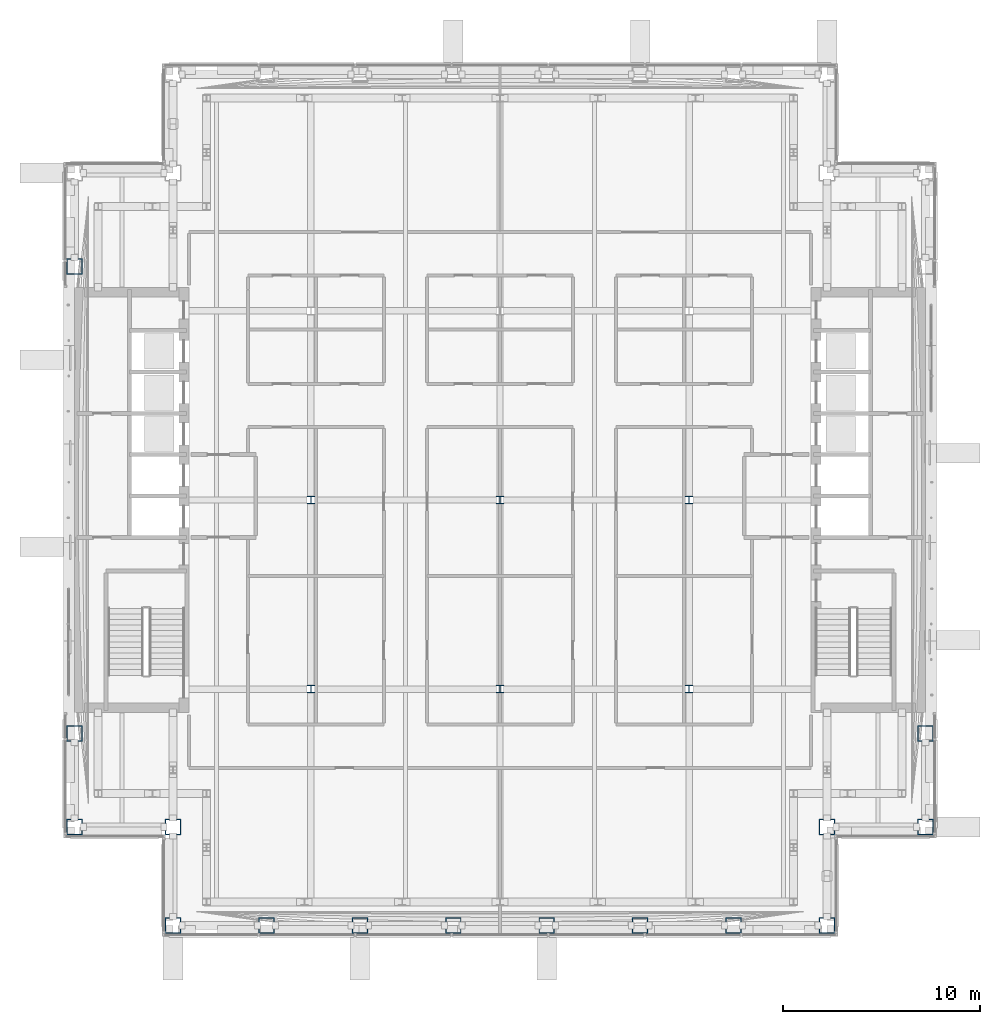
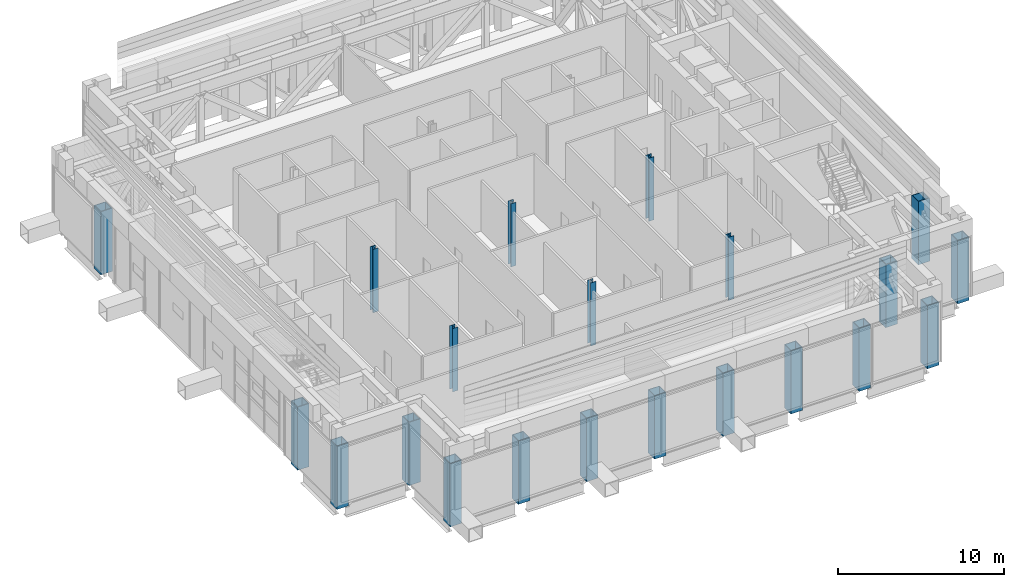
# One storey, part 1 of 29: 21 columns.
"""IFC4 building model written with IfcOpenShell, lengths in metres."""

from ifc_helpers import new_model, si_unit, direction, frame, origin, origin_2d, place, context, subcontext, project, spatial, hollow_rectangle, i_section, extrude, material, material_profile, profile_set, type_object, element, save


model = new_model("IFC4")

# Units and contexts
model_context = context("Model", 3, precision=1e-05, world=origin(), true_north=direction((0.0, 1.0)))
body_context = subcontext(model_context, "Body", "Model", "MODEL_VIEW")
ifc_project = project(units=[si_unit("LENGTHUNIT", "METRE"), si_unit("AREAUNIT", "SQUARE_METRE"), si_unit("VOLUMEUNIT", "CUBIC_METRE"), si_unit("PLANEANGLEUNIT", "RADIAN"), si_unit("MASSUNIT", "GRAM", prefix="KILO")], contexts=[model_context])

# Site, building, storey
site_placement = place(None, origin())
site = spatial("IfcSite", under=ifc_project, at=site_placement, CompositionType="ELEMENT")
building_placement = place(site_placement, origin())
building = spatial("IfcBuilding", under=site, at=building_placement, Name="Cobrizo Arcos Hotel Tower", CompositionType="ELEMENT")
storey_placement = place(building_placement, frame((0.0, 0.0, 186.5)))
storey = spatial("IfcBuildingStorey", under=building, at=storey_placement, Name="L48", CompositionType="ELEMENT", Elevation=186.5)

# Columns
ifc_material_1 = material(Name="Steel ASTM A572 Grade 50", Category="steel")
ifc_material_profile_1 = material_profile(ifc_material_1, hollow_rectangle(XDim=0.800048828125, YDim=0.800048828125, WallThickness=0.044921875, at=origin_2d()), Name="BOX 800X800X45")
ifc_profile_set_1 = profile_set([ifc_material_profile_1], Name="Steel ASTM A572 Grade 50")
column_type_1 = type_object("IfcColumnType", Name="BOX 800X800X45 column", PredefinedType="COLUMN", material=ifc_profile_set_1)
for number, where, z_axis, x_axis, name in (
    (1, (-16.60009765625, -21.60009765625, -0.300048828125), (0.0, 0.0, 1.0), (1.0, 0.0, 0.0), "Perimeter column C8, L48, no. 01"),
    (2, (-11.85693359375, -21.60009765625, -0.300048828125), (0.0, 0.0, 1.0), (1.0, 0.0, 0.0), "Perimeter column C8, L48, no. 03"),
    (3, (-7.114013671875, -21.60009765625, -0.300048828125), (0.0, 0.0, 1.0), (1.0, 0.0, 0.0), "Perimeter column C8, L48, no. 05"),
    (4, (-2.37109375, -21.60009765625, -0.300048828125), (0.0, 0.0, 1.0), (1.0, 0.0, 0.0), "Perimeter column C8, L48, no. 07"),
    (5, (2.37109375, -21.60009765625, -0.300048828125), (0.0, 0.0, 1.0), (1.0, 0.0, 0.0), "Perimeter column C8, L48, no. 09"),
    (6, (7.114013671875, -21.60009765625, -0.300048828125), (0.0, 0.0, 1.0), (1.0, 0.0, 0.0), "Perimeter column C8, L48, no. 11"),
    (7, (11.85693359375, -21.60009765625, -0.300048828125), (0.0, 0.0, 1.0), (1.0, 0.0, 0.0), "Perimeter column C8, L48, no. 13"),
    (8, (16.60009765625, -21.60009765625, -0.300048828125), (0.0, 0.0, 1.0), (1.0, 0.0, 0.0), "Perimeter column C8, L48, no. 15"),
    (9, (21.60009765625, -16.60009765625, -0.300048828125), (0.0, 0.0, 1.0), (1.0, 0.0, 0.0), "Perimeter column C8, L48, no. 16"),
    (10, (-21.60009765625, -16.60009765625, -0.300048828125), (0.0, 0.0, 1.0), (1.0, 0.0, 0.0), "Perimeter column C8, L48, no. 17"),
    (11, (21.60009765625, -11.85693359375, -0.300048828125), (0.0, 0.0, 1.0), (1.0, 0.0, 0.0), "Perimeter column C8, L48, no. 18"),
    (12, (-21.60009765625, -11.85693359375, -0.300048828125), (0.0, 0.0, 1.0), (1.0, 0.0, 0.0), "Perimeter column C8, L48, no. 19"),
    (13, (-21.60009765625, 11.85693359375, -0.300048828125), (0.0, 0.0, 1.0), (1.0, 0.0, 0.0), "Perimeter column C8, L48, no. 21"),
    (14, (-16.60009765625, -16.60009765625, -0.300048828125), (0.0, 0.0, 1.0), (1.0, 0.0, 0.0), "Perimeter column C8, L48, no. 24"),
    (15, (16.60009765625, -16.60009765625, -0.300048828125), (0.0, 0.0, 1.0), (1.0, 0.0, 0.0), "Perimeter column C8, L48, no. 26"),
):
    element("IfcColumn", number, at=place(storey_placement, frame(where, z_axis=z_axis, x_axis=x_axis)), inside=storey, type_object=column_type_1, Name=name, PredefinedType="COLUMN", context=body_context, shape_type="SweptSolid", body=[
        extrude(hollow_rectangle(XDim=0.800048828125, YDim=0.800048828125, WallThickness=0.044921875, at=origin_2d()), origin(), (0.0, 0.0, 1.0), 4.650146484375),
    ])
ifc_material_2 = material(Name="Steel ASTM A992 Grade 50", Category="steel")
ifc_material_profile_2 = material_profile(ifc_material_2, i_section(OverallWidth=0.373291015625, OverallDepth=0.373291015625, WebThickness=0.016357421875, FlangeThickness=0.026123046875, at=origin_2d()), Name="W14X132")
ifc_profile_set_2 = profile_set([ifc_material_profile_2], Name="Steel ASTM A992 Grade 50")
column_type_2 = type_object("IfcColumnType", Name="W14X132 interior column", PredefinedType="COLUMN", material=ifc_profile_set_2)
for number, where, z_axis, x_axis, name in (
    (16, (-9.60009765625, -9.60009765625, -0.300048828125), (0.0, 0.0, 1.0), (1.0, 0.0, 0.0), "Interior column C9, L48, no. 00"),
    (17, (-9.60009765625, 0.0, -0.300048828125), (0.0, 0.0, 1.0), (1.0, 0.0, 0.0), "Interior column C9, L48, no. 01"),
    (18, (0.0, -9.60009765625, -0.300048828125), (0.0, 0.0, 1.0), (1.0, 0.0, 0.0), "Interior column C9, L48, no. 03"),
    (19, (0.0, 0.0, -0.300048828125), (0.0, 0.0, 1.0), (1.0, 0.0, 0.0), "Interior column C9, L48, no. 04"),
    (20, (9.60009765625, -9.60009765625, -0.300048828125), (0.0, 0.0, 1.0), (1.0, 0.0, 0.0), "Interior column C9, L48, no. 06"),
    (21, (9.60009765625, 0.0, -0.300048828125), (0.0, 0.0, 1.0), (1.0, 0.0, 0.0), "Interior column C9, L48, no. 07"),
):
    element("IfcColumn", number, at=place(storey_placement, frame(where, z_axis=z_axis, x_axis=x_axis)), inside=storey, type_object=column_type_2, Name=name, PredefinedType="COLUMN", context=body_context, shape_type="SweptSolid", body=[
        extrude(i_section(OverallWidth=0.373291015625, OverallDepth=0.373291015625, WebThickness=0.016357421875, FlangeThickness=0.026123046875, at=origin_2d()), origin(), (0.0, 0.0, 1.0), 4.650146484375),
    ])

save(model, "model.ifc")
